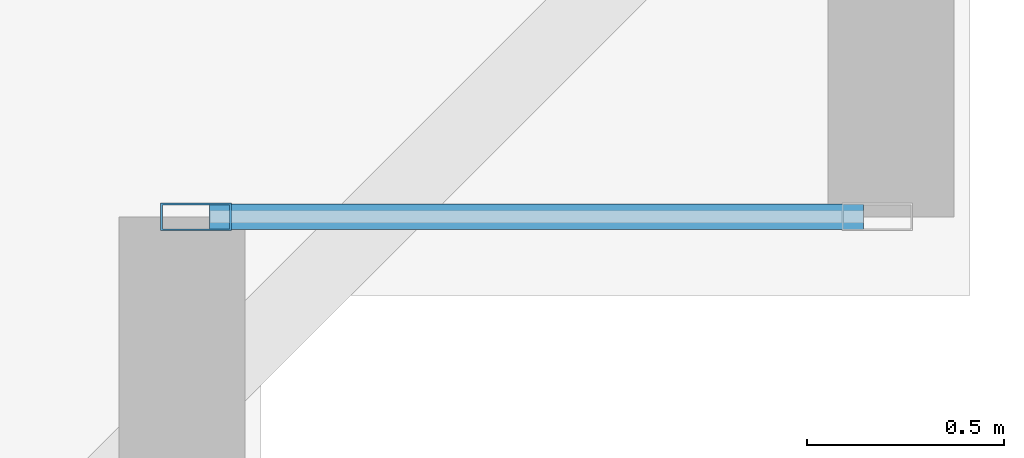
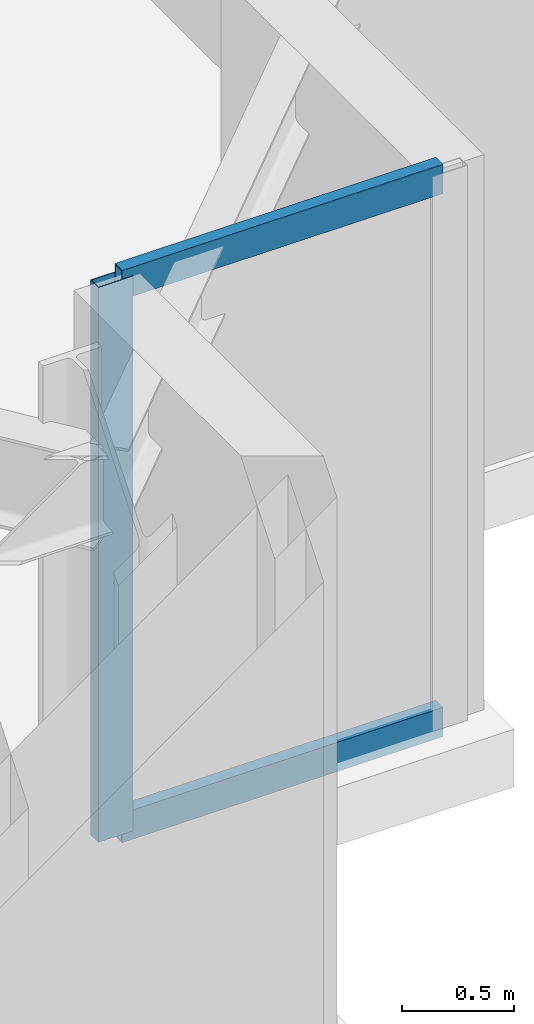
# One storey, part 6 of 21: 3 members, 1 element without a shape of its own.
"""IFC4 building model written with IfcOpenShell, lengths in metres."""

from ifc_helpers import new_model, si_unit, direction, frame, origin, origin_2d, place, context, subcontext, project, spatial, hollow_rectangle, extrude, material, layer, layer_set, material_profile, profile_set, type_object, element, aggregate, save


model = new_model("IFC4")

# Units and contexts
model_context = context("Model", 3, precision=1e-05, world=origin(), true_north=direction((0.0, 1.0)))
body_context = subcontext(model_context, "Body", "Model", "MODEL_VIEW")
ifc_project = project(units=[si_unit("LENGTHUNIT", "METRE"), si_unit("AREAUNIT", "SQUARE_METRE"), si_unit("VOLUMEUNIT", "CUBIC_METRE"), si_unit("PLANEANGLEUNIT", "RADIAN"), si_unit("MASSUNIT", "GRAM", prefix="KILO")], contexts=[model_context])

# Site, building, storey
site_placement = place(None, origin())
site = spatial("IfcSite", under=ifc_project, at=site_placement, CompositionType="ELEMENT")
building_placement = place(site_placement, origin())
building = spatial("IfcBuilding", under=site, at=building_placement, Name="Qobustan Lattice House", CompositionType="ELEMENT")
storey_placement = place(building_placement, frame((0.0, 0.0, 37.050048828125)))
storey = spatial("IfcBuildingStorey", under=building, at=storey_placement, Name="L09", CompositionType="ELEMENT", Elevation=37.050048828125)

# Curtain wall, members
ifc_material_1 = material(Name="Anodised aluminium and low-E glazing", Category="aluminium")
ifc_layer = layer(ifc_material_1, 0.219970703125)
ifc_layer_set = layer_set([ifc_layer], Name="Anodised aluminium and low-E glazing")
curtain_wall_type = type_object("IfcCurtainWallType", Name="CW-FAC-01", PredefinedType="USERDEFINED", material=ifc_layer_set)
curtain_wall_placement = place(storey_placement, origin())
curtain_wall = element("IfcCurtainWall", 1, at=curtain_wall_placement, inside=storey, type_object=curtain_wall_type, Name="L09 serrated corner faceted glazing 18", ObjectType="CURTAIN WALL", PredefinedType="USERDEFINED")
ifc_material_2 = material(Name="Anodised aluminium EN AW-6063 T6", Category="aluminium")
ifc_material_profile_1 = material_profile(ifc_material_2, hollow_rectangle(XDim=0.070068359375, YDim=0.179931640625, WallThickness=0.00439453125, at=origin_2d()), Name="CWM-180x70")
ifc_profile_set_1 = profile_set([ifc_material_profile_1], Name="Anodised aluminium EN AW-6063 T6")
member_type_1 = type_object("IfcMemberType", Name="CWM-STD-180", PredefinedType="MULLION", material=ifc_profile_set_1)
member_1_placement = place(storey_placement, frame((29.235107421875, -17.60009765625, 0.0), z_axis=(0.0, 0.0, 1.0), x_axis=(0.0, -1.0, 0.0)))
member_1 = element("IfcMember", 2, at=member_1_placement, type_object=member_type_1, Name="CW-F1 mullion 2", PredefinedType="MULLION", context=body_context, shape_type="SweptSolid", body=[
    extrude(hollow_rectangle(XDim=0.070068359375, YDim=0.179931640625, WallThickness=0.00439453125, at=origin_2d()), origin(), (0.0, 0.0, 1.0), 3.034912109375),
])
ifc_material_3 = material(Name="Anodised aluminium EN AW-6063 T6", Category="aluminium")
ifc_material_profile_2 = material_profile(ifc_material_3, hollow_rectangle(XDim=0.06494140625, YDim=0.159912109375, WallThickness=0.00390625, at=origin_2d()), Name="CWT-160x65")
ifc_profile_set_2 = profile_set([ifc_material_profile_2], Name="Anodised aluminium EN AW-6063 T6")
member_type_2 = type_object("IfcMemberType", Name="CWT-HOR-160", PredefinedType="USERDEFINED", material=ifc_profile_set_2)
member_2_placement = place(storey_placement, frame((30.929931640625, -17.60009765625, 0.032470703125), z_axis=(-1.0, 0.0, 0.0), x_axis=(0.0, -1.0, 0.0)))
member_2 = element("IfcMember", 3, at=member_2_placement, type_object=member_type_2, Name="CW-F1 transom 1.1", ObjectType="TRANSOM", PredefinedType="USERDEFINED", context=body_context, shape_type="SweptSolid", body=[
    extrude(hollow_rectangle(XDim=0.06494140625, YDim=0.159912109375, WallThickness=0.00390625, at=origin_2d()), origin(), (0.0, 0.0, 1.0), 1.659912109375),
])
member_3_placement = place(storey_placement, frame((30.929931640625, -17.60009765625, 3.00244140625), z_axis=(-1.0, 0.0, 0.0), x_axis=(0.0, -1.0, 0.0)))
member_3 = element("IfcMember", 4, at=member_3_placement, type_object=member_type_2, Name="CW-F1 transom 1.2", ObjectType="TRANSOM", PredefinedType="USERDEFINED", context=body_context, shape_type="SweptSolid", body=[
    extrude(hollow_rectangle(XDim=0.06494140625, YDim=0.159912109375, WallThickness=0.00390625, at=origin_2d()), origin(), (0.0, 0.0, 1.0), 1.659912109375),
])
aggregate(curtain_wall, [member_1, member_2, member_3])

save(model, "model.ifc")
